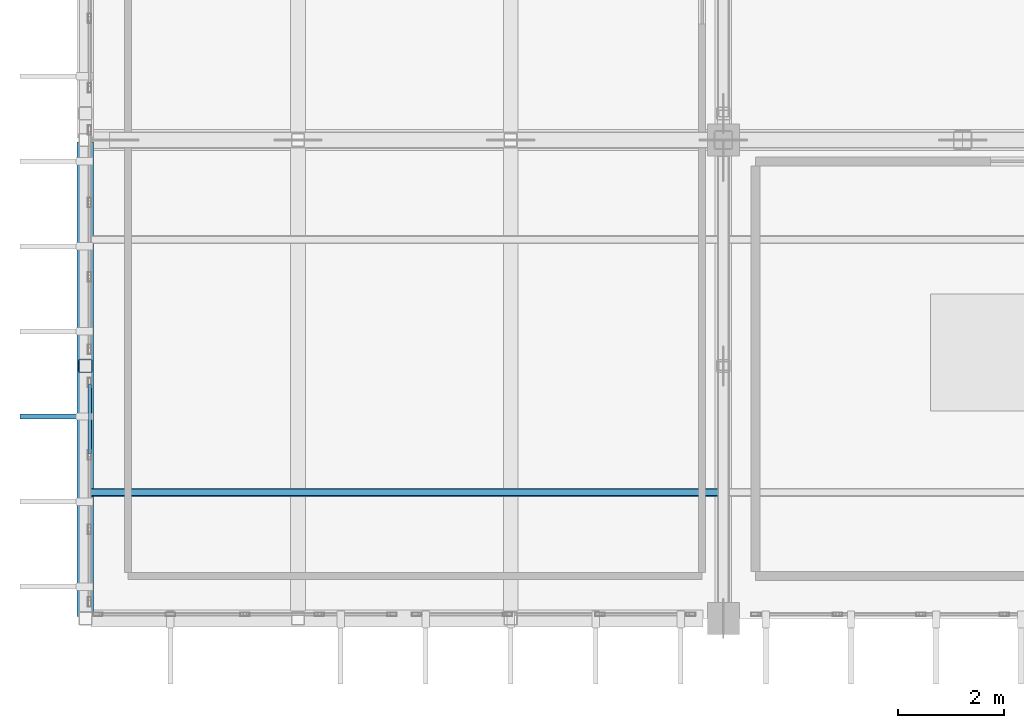
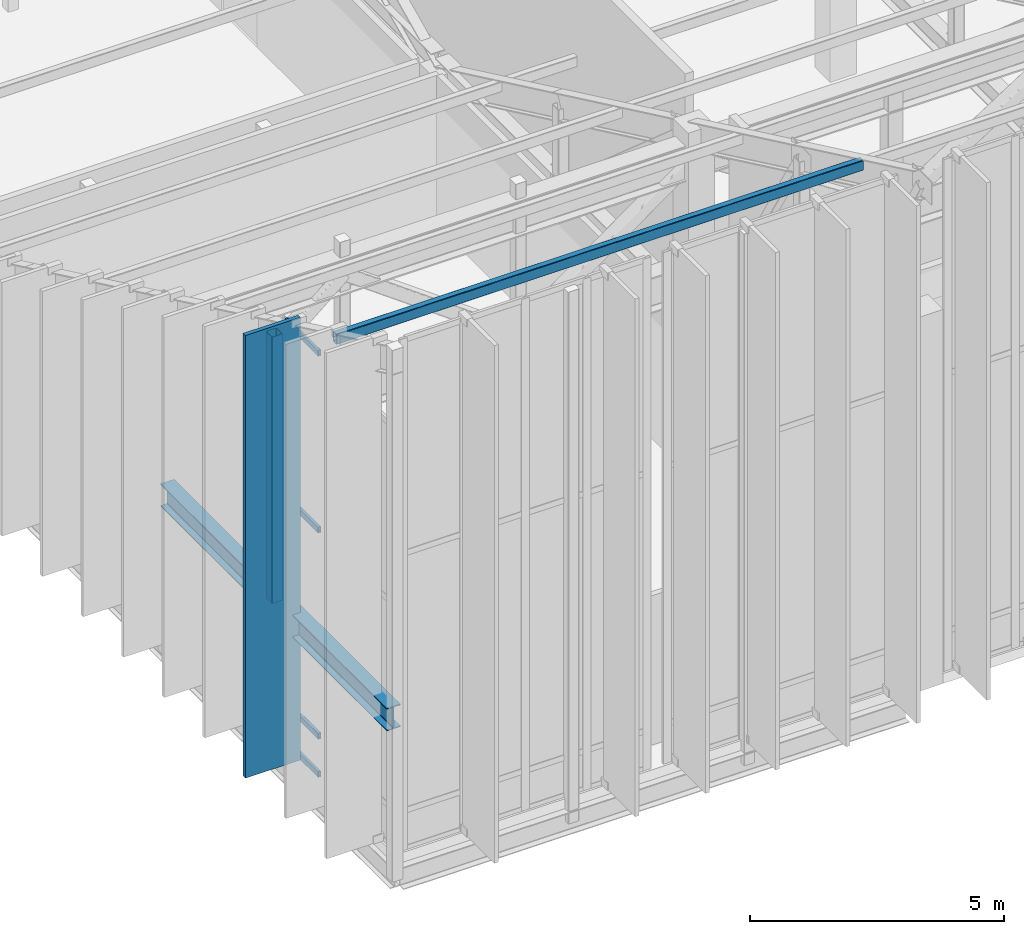
# One storey, part 4 of 68: 7 members, 1 beam, 1 element without a shape of its own.
"""IFC4 building model written with IfcOpenShell, lengths in metres."""

from ifc_helpers import new_model, si_unit, direction, frame, origin, origin_2d, place, context, subcontext, project, spatial, rectangle, hollow_rectangle, i_section, extrude, material, material_profile, profile_set, type_object, element, aggregate, save


model = new_model("IFC4")

# Units and contexts
model_context = context("Model", 3, precision=1e-05, world=origin(), true_north=direction((0.0, 1.0)))
body_context = subcontext(model_context, "Body", "Model", "MODEL_VIEW")
ifc_project = project(units=[si_unit("LENGTHUNIT", "METRE"), si_unit("AREAUNIT", "SQUARE_METRE"), si_unit("VOLUMEUNIT", "CUBIC_METRE"), si_unit("PLANEANGLEUNIT", "RADIAN"), si_unit("MASSUNIT", "GRAM", prefix="KILO")], contexts=[model_context])

# Site, building, storey
site_placement = place(None, origin())
site = spatial("IfcSite", under=ifc_project, at=site_placement, CompositionType="ELEMENT")
building_placement = place(site_placement, origin())
building = spatial("IfcBuilding", under=site, at=building_placement, Name="Miravela Opera House", CompositionType="ELEMENT")
storey_placement = place(building_placement, frame((0.0, 0.0, 21.760009765625)))
storey = spatial("IfcBuildingStorey", under=building, at=storey_placement, Name="L05", CompositionType="ELEMENT", Elevation=21.760009765625)

# Curtain wall, members
ifc_material_1 = material(Name="Anodised architectural bronze aluminium 6063-T6", Category="aluminium")
curtain_wall_type = type_object("IfcCurtainWallType", Name="ARC-CW-03", PredefinedType="NOTDEFINED", material=ifc_material_1)
curtain_wall_placement = place(storey_placement, origin())
curtain_wall = element("IfcCurtainWall", 1, at=curtain_wall_placement, inside=storey, type_object=curtain_wall_type, Name="Cantilever West Wrapper Glazing B1 CW-L05-047", PredefinedType="NOTDEFINED")
ifc_material_profile_1 = material_profile(ifc_material_1, hollow_rectangle(XDim=0.06494140625, YDim=0.139892578125, WallThickness=0.00390625, InnerFilletRadius=0.001953125, OuterFilletRadius=0.00390625, at=origin_2d()), Name="CWT-65X140")
ifc_profile_set_1 = profile_set([ifc_material_profile_1])
member_type_1 = type_object("IfcMemberType", Name="ARC-CWT-140", PredefinedType="USERDEFINED", material=ifc_profile_set_1)
member_1_placement = place(storey_placement, frame((15.080078125, 40.105712890625, 0.032470703125), z_axis=(0.0, 1.0, 0.0), x_axis=(-1.0, 0.0, 0.0)))
member_1 = element("IfcMember", 2, at=member_1_placement, type_object=member_type_1, Name="CW-03 transom 3.1", ObjectType="TRANSOM", PredefinedType="USERDEFINED", context=body_context, shape_type="SweptSolid", body=[
    extrude(hollow_rectangle(XDim=0.06494140625, YDim=0.139892578125, WallThickness=0.00390625, InnerFilletRadius=0.001953125, OuterFilletRadius=0.00390625, at=origin_2d()), origin(), (0.0, 0.0, 1.0), 1.29931640625),
])
member_2_placement = place(storey_placement, frame((15.080078125, 40.105712890625, 0.949951171875), z_axis=(0.0, 1.0, 0.0), x_axis=(-1.0, 0.0, 0.0)))
member_2 = element("IfcMember", 3, at=member_2_placement, type_object=member_type_1, Name="CW-03 transom 3.2", ObjectType="TRANSOM", PredefinedType="USERDEFINED", context=body_context, shape_type="SweptSolid", body=[
    extrude(hollow_rectangle(XDim=0.06494140625, YDim=0.139892578125, WallThickness=0.00390625, InnerFilletRadius=0.001953125, OuterFilletRadius=0.00390625, at=origin_2d()), origin(), (0.0, 0.0, 1.0), 1.29931640625),
])
member_3_placement = place(storey_placement, frame((15.080078125, 40.105712890625, 5.91162109375), z_axis=(0.0, 1.0, 0.0), x_axis=(-1.0, 0.0, 0.0)))
member_3 = element("IfcMember", 4, at=member_3_placement, type_object=member_type_1, Name="CW-03 transom 3.3", ObjectType="TRANSOM", PredefinedType="USERDEFINED", context=body_context, shape_type="SweptSolid", body=[
    extrude(hollow_rectangle(XDim=0.06494140625, YDim=0.139892578125, WallThickness=0.00390625, InnerFilletRadius=0.001953125, OuterFilletRadius=0.00390625, at=origin_2d()), origin(), (0.0, 0.0, 1.0), 1.29931640625),
])
member_4_placement = place(storey_placement, frame((15.080078125, 40.105712890625, 10.16015625), z_axis=(0.0, 1.0, 0.0), x_axis=(-1.0, 0.0, 0.0)))
member_4 = element("IfcMember", 5, at=member_4_placement, type_object=member_type_1, Name="CW-03 transom 3.4", ObjectType="TRANSOM", PredefinedType="USERDEFINED", context=body_context, shape_type="SweptSolid", body=[
    extrude(hollow_rectangle(XDim=0.06494140625, YDim=0.139892578125, WallThickness=0.00390625, InnerFilletRadius=0.001953125, OuterFilletRadius=0.00390625, at=origin_2d()), origin(), (0.0, 0.0, 1.0), 1.29931640625),
])
aggregate(curtain_wall, [member_1, member_2, member_3, member_4])

# Member
ifc_material_profile_2 = material_profile(ifc_material_1, rectangle(XDim=0.090087890625, YDim=1.25, at=origin_2d()), Name="FIN-1250X90")
ifc_profile_set_2 = profile_set([ifc_material_profile_2])
member_type_2 = type_object("IfcMemberType", Name="ARC-FIN-1250", PredefinedType="USERDEFINED", material=ifc_profile_set_2)
member_5_placement = place(storey_placement, frame((14.39501953125, 40.800048828125, 0.0), z_axis=(0.0, 0.0, 1.0), x_axis=(0.0, 1.0, 0.0)))
element("IfcMember", 6, at=member_5_placement, inside=storey, type_object=member_type_2, Name="Auditorium Wrapper Bronze Solar Fin FIN-L05-WEST-0143", ObjectType="FIN", PredefinedType="USERDEFINED", context=body_context, shape_type="SweptSolid", body=[
    extrude(rectangle(XDim=0.090087890625, YDim=1.25, at=origin_2d()), origin(), (0.0, 0.0, 1.0), 10.64990234375),
])

# Beam
ifc_material_2 = material(Name="Structural steel ASTM A992 Gr. 50", Category="steel")
ifc_material_profile_3 = material_profile(ifc_material_2, i_section(OverallWidth=0.31201171875, OverallDepth=0.54296875, WebThickness=0.0126953125, FlangeThickness=0.020263671875, FilletRadius=0.01611328125, at=origin_2d()), Name="W530X150")
ifc_profile_set_3 = profile_set([ifc_material_profile_3])
beam_type = type_object("IfcBeamType", Name="STR-BM-W530X150", PredefinedType="BEAM", material=ifc_profile_set_3)
beam_placement = place(storey_placement, frame((15.0, 37.0400390625, 3.280029296875), z_axis=(0.0, 1.0, 0.0), x_axis=(-1.0, 0.0, 0.0)))
element("IfcBeam", 7, at=beam_placement, inside=storey, type_object=beam_type, Name="V-Crest Roof Truss Bottom Tie Chord X=15 Seg 1", PredefinedType="BEAM", context=body_context, shape_type="SweptSolid", body=[
    extrude(i_section(OverallWidth=0.31201171875, OverallDepth=0.54296875, WebThickness=0.0126953125, FlangeThickness=0.020263671875, FilletRadius=0.01611328125, at=origin_2d()), origin(), (0.0, 0.0, 1.0), 8.919921875),
])

# Members
ifc_material_3 = material(Name="Hollow structural steel ASTM A500 Gr. C", Category="steel")
ifc_material_profile_4 = material_profile(ifc_material_3, hollow_rectangle(XDim=0.25, YDim=0.25, WallThickness=0.011962890625, InnerFilletRadius=0.011962890625, OuterFilletRadius=0.02392578125, at=origin_2d()), Name="HSS250X250X12")
ifc_profile_set_4 = profile_set([ifc_material_profile_4])
member_type_3 = type_object("IfcMemberType", Name="STR-MEM-CANT-POST2", PredefinedType="POST", material=ifc_profile_set_4)
member_6_placement = place(storey_placement, frame((15.0, 41.75, 3.280029296875), z_axis=(0.0, 0.0, 1.0), x_axis=(1.0, 0.0, 0.0)))
element("IfcMember", 8, at=member_6_placement, inside=storey, type_object=member_type_3, Name="V-Crest Roof Truss Panel Post X=15 Node 1", PredefinedType="POST", context=body_context, shape_type="SweptSolid", body=[
    extrude(hollow_rectangle(XDim=0.25, YDim=0.25, WallThickness=0.011962890625, InnerFilletRadius=0.011962890625, OuterFilletRadius=0.02392578125, at=origin_2d()), origin(), (0.0, 0.0, 1.0), 6.409912109375),
])
ifc_material_profile_5 = material_profile(ifc_material_3, hollow_rectangle(XDim=0.14990234375, YDim=0.25, WallThickness=0.011962890625, InnerFilletRadius=0.011962890625, OuterFilletRadius=0.02392578125, at=origin_2d()), Name="HSS250X150X12")
ifc_profile_set_5 = profile_set([ifc_material_profile_5])
member_type_4 = type_object("IfcMemberType", Name="STR-MEM-PURLIN-1", PredefinedType="PURLIN", material=ifc_profile_set_5)
member_7_placement = place(storey_placement, frame((15.010009765625, 39.375, 10.994873046875), z_axis=(1.0, 0.0, 0.0), x_axis=(0.0, 1.0, 0.0)))
element("IfcMember", 9, at=member_7_placement, inside=storey, type_object=member_type_4, Name="V-Roof Steel Purlin B1.1", PredefinedType="PURLIN", context=body_context, shape_type="SweptSolid", body=[
    extrude(hollow_rectangle(XDim=0.14990234375, YDim=0.25, WallThickness=0.011962890625, InnerFilletRadius=0.011962890625, OuterFilletRadius=0.02392578125, at=origin_2d()), origin(), (0.0, 0.0, 1.0), 11.97998046875),
])

save(model, "model.ifc")
